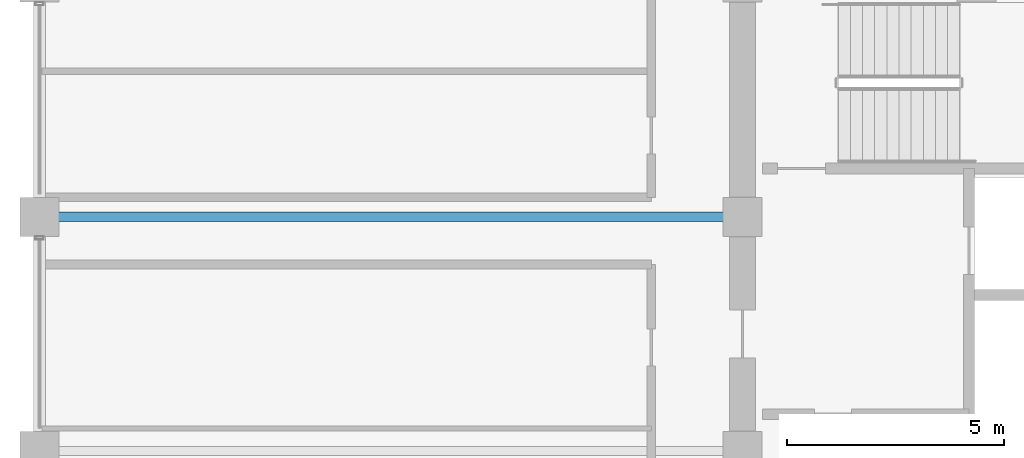
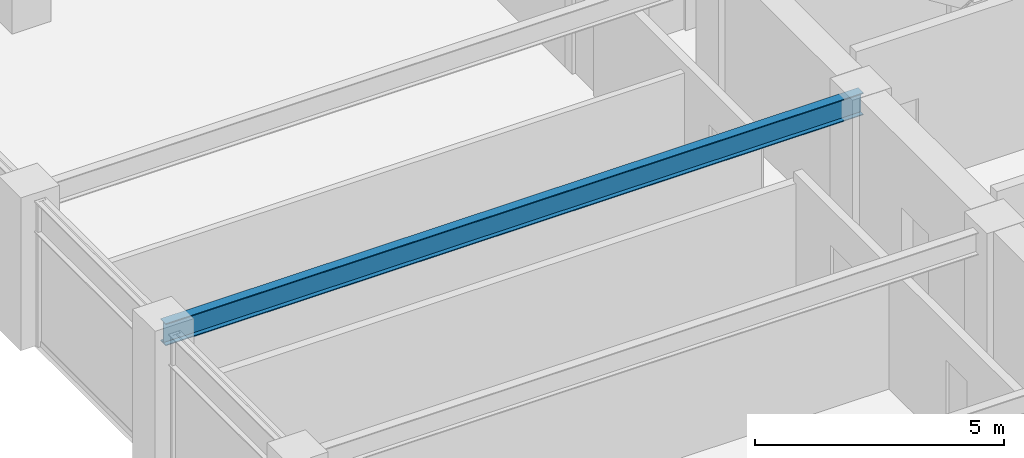
# One storey, part 11 of 32: 1 beam.
"""IFC4 building model written with IfcOpenShell, lengths in metres."""

from ifc_helpers import new_model, si_unit, direction, frame, origin, origin_2d, place, context, subcontext, project, spatial, i_section, extrude, material, material_profile, profile_set, type_object, element, save


model = new_model("IFC4")

# Units and contexts
model_context = context("Model", 3, precision=1e-05, world=origin(), true_north=direction((0.0, 1.0)))
body_context = subcontext(model_context, "Body", "Model", "MODEL_VIEW")
ifc_project = project(units=[si_unit("LENGTHUNIT", "METRE"), si_unit("AREAUNIT", "SQUARE_METRE"), si_unit("VOLUMEUNIT", "CUBIC_METRE"), si_unit("PLANEANGLEUNIT", "RADIAN"), si_unit("MASSUNIT", "GRAM", prefix="KILO")], contexts=[model_context])

# Site, building, storey
site_placement = place(None, origin())
site = spatial("IfcSite", under=ifc_project, at=site_placement, CompositionType="ELEMENT")
building_placement = place(site_placement, origin())
building = spatial("IfcBuilding", under=site, at=building_placement, Name="Surkhivell Harbour Commons", CompositionType="ELEMENT")
storey_placement = place(building_placement, frame((0.0, 0.0, 201.0)))
storey = spatial("IfcBuildingStorey", under=building, at=storey_placement, Name="L52", CompositionType="ELEMENT", Elevation=201.0)

# Beam
ifc_material = material(Name="Steel S355", Category="steel")
ifc_material_profile = material_profile(ifc_material, i_section(OverallWidth=0.2119140625, OverallDepth=0.5439453125, WebThickness=0.0126953125, FlangeThickness=0.021240234375, at=origin_2d()), Name="UB533x210x122")
ifc_profile_set = profile_set([ifc_material_profile], Name="Steel S355")
beam_type = type_object("IfcBeamType", Name="BM-GRD-533A", PredefinedType="BEAM", material=ifc_profile_set)
beam_placement = place(storey_placement, frame((-27.0, 5.39990234375, 3.298095703125), z_axis=(1.0, 0.0, 0.0), x_axis=(0.0, 1.0, 0.0)))
element("IfcBeam", 1, at=beam_placement, inside=storey, type_object=beam_type, Name="L52 Floor Girder (-27.0,5.4)", PredefinedType="BEAM", context=body_context, shape_type="SweptSolid", body=[
    extrude(i_section(OverallWidth=0.2119140625, OverallDepth=0.5439453125, WebThickness=0.0126953125, FlangeThickness=0.021240234375, at=origin_2d()), origin(), (0.0, 0.0, 1.0), 16.199951171875),
])

save(model, "model.ifc")
